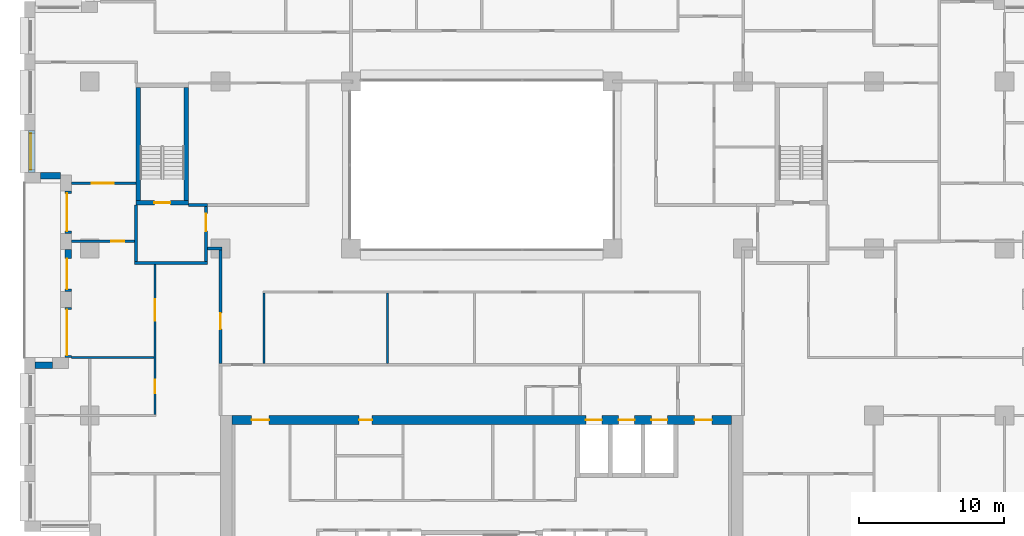
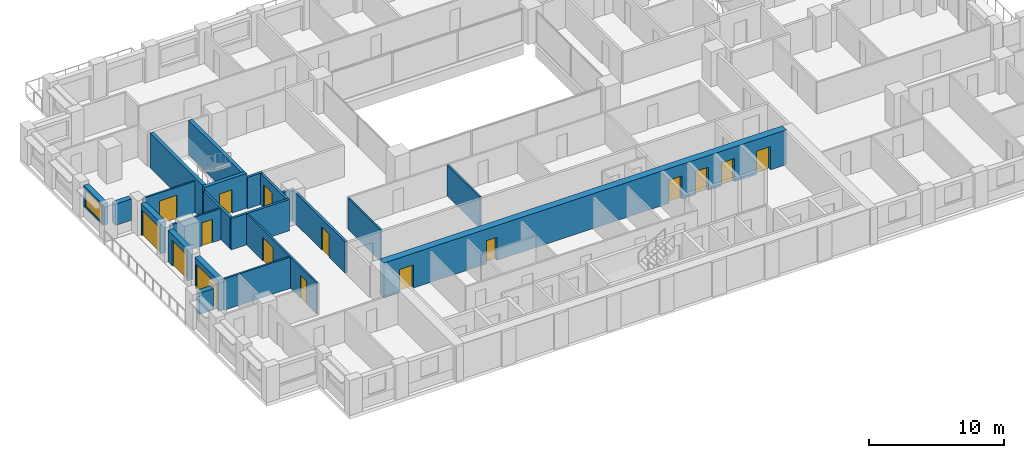
# One storey, part 9 of 16: 22 walls, 16 doors, 1 window, 17 openings.
"""IFC4 building model written with IfcOpenShell, lengths in metres."""

from ifc_helpers import new_model, si_unit, direction, frame, frame_2d, origin, place, context, subcontext, project, spatial, rectangle, extrude, material, layer, layer_set, type_object, element, fill, save


model = new_model("IFC4")

# Units and contexts
model_context = context("Model", 3, precision=1e-05, world=origin(), true_north=direction((0.0, 1.0)))
body_context = subcontext(model_context, "Body", "Model", "MODEL_VIEW")
ifc_project = project(units=[si_unit("LENGTHUNIT", "METRE"), si_unit("AREAUNIT", "SQUARE_METRE"), si_unit("VOLUMEUNIT", "CUBIC_METRE"), si_unit("PLANEANGLEUNIT", "RADIAN"), si_unit("MASSUNIT", "GRAM", prefix="KILO")], contexts=[model_context])

# Site, building, storey
site_placement = place(None, origin())
site = spatial("IfcSite", under=ifc_project, at=site_placement, CompositionType="ELEMENT")
building_placement = place(site_placement, origin())
building = spatial("IfcBuilding", under=site, at=building_placement, Name="Brigalow Station Residences", CompositionType="ELEMENT")
storey_placement = place(building_placement, frame((0.0, 0.0, 115.050048828125)))
storey = spatial("IfcBuildingStorey", under=building, at=storey_placement, Name="L33", CompositionType="ELEMENT", Elevation=115.050048828125)

# Wall, opening, window
ifc_material_1 = material(Name="Clay brick masonry", Category="masonry")
ifc_layer_1 = layer(ifc_material_1, 0.449951171875)
ifc_layer_set_1 = layer_set([ifc_layer_1], Name="BRICK INFILL WALL 450")
wall_type_1 = type_object("IfcWallType", Name="BRICK INFILL WALL 450", PredefinedType="SOLIDWALL", material=ifc_layer_set_1)
wall_1_placement = place(storey_placement, frame((5.02490234375, 32.116943359375, 0.89990234375), z_axis=(0.0, 0.0, 1.0), x_axis=(0.0, -1.0, 0.0)))
wall_1 = element("IfcWall", 1, at=wall_1_placement, inside=storey, type_object=wall_type_1, Name="L33/ewall/W-L33-41", PredefinedType="SOLIDWALL", context=body_context, shape_type="SweptSolid", body=[
    extrude(rectangle(XDim=2.866943359375, YDim=0.449951171875, at=frame_2d((1.43359375, 0.0))), origin(), (0.0, 0.0, 1.0), 1.929931640625),
])
opening_1_placement = place(wall_1_placement, frame((0.18359375, 0.0, 0.14990234375)))
opening_1 = element("IfcOpeningElement", 2, at=opening_1_placement, cuts=wall_1, Name="Opening WT-5", PredefinedType="OPENING", context=body_context, shape_type="SweptSolid", body=[
    extrude(rectangle(XDim=2.5, YDim=1.5, at=frame_2d((1.25, 0.75))), frame((0.0, 0.23486328125, 0.0), z_axis=(0.0, -1.0, 0.0), x_axis=(1.0, 0.0, 0.0)), (0.0, 0.0, 1.0), 0.469970703125),
])
ifc_material_2 = material(Name="Anodised aluminium frame with double glazing", Category="aluminium")
window_type = type_object("IfcWindowType", Name="WINDOW 2500x1500", PartitioningType="SINGLE_PANEL", PredefinedType="WINDOW", material=ifc_material_2)
window_placement = place(opening_1_placement, origin())
window = element("IfcWindow", 3, at=window_placement, inside=storey, type_object=window_type, Name="L33/window/W-L33-41", OverallHeight=1.5, OverallWidth=2.5, PartitioningType="SINGLE_PANEL", PredefinedType="WINDOW", context=body_context, shape_type="SweptSolid", body=[
    extrude(rectangle(XDim=2.5, YDim=1.5, at=frame_2d((1.25, 0.75))), frame((0.0, -0.06494140625, 0.0), z_axis=(0.0, -1.0, 0.0), x_axis=(1.0, 0.0, 0.0)), (0.0, 0.0, 1.0), 0.06005859375),
])
fill(opening_1, window)

# Wall
wall_2_placement = place(storey_placement, frame((5.60009765625, 29.02490234375, 0.89990234375), z_axis=(0.0, 0.0, 1.0), x_axis=(1.0, 0.0, 0.0)))
element("IfcWall", 4, at=wall_2_placement, inside=storey, type_object=wall_type_1, Name="L33/ewall/W-L33-42", PredefinedType="SOLIDWALL", context=body_context, shape_type="SweptSolid", body=[
    extrude(rectangle(XDim=1.39990234375, YDim=0.449951171875, at=frame_2d((0.699951171875, 0.0))), origin(), (0.0, 0.0, 1.0), 1.929931640625),
])

# Wall, opening, door
wall_3_placement = place(storey_placement, frame((7.52490234375, 27.949951171875, 0.0), z_axis=(0.0, 0.0, 1.0), x_axis=(0.0, -1.0, 0.0)))
wall_3 = element("IfcWall", 5, at=wall_3_placement, inside=storey, type_object=wall_type_1, Name="L33/ewall/W-L33-43", PredefinedType="SOLIDWALL", context=body_context, shape_type="SweptSolid", body=[
    extrude(rectangle(XDim=2.89990234375, YDim=0.449951171875, at=frame_2d((1.449951171875, 0.0))), origin(), (0.0, 0.0, 1.0), 2.829833984375),
])
opening_2_placement = place(wall_3_placement, frame((0.14990234375, 0.0, 0.0)))
opening_2 = element("IfcOpeningElement", 6, at=opening_2_placement, cuts=wall_3, Name="Opening D-B2600", PredefinedType="OPENING", context=body_context, shape_type="SweptSolid", body=[
    extrude(rectangle(XDim=2.60009765625, YDim=2.300048828125, at=frame_2d((1.300048828125, 1.14990234375))), frame((0.0, 0.23486328125, 0.0), z_axis=(0.0, -1.0, 0.0), x_axis=(1.0, 0.0, 0.0)), (0.0, 0.0, 1.0), 0.469970703125),
])
ifc_material_3 = material(Name="Anodised aluminium frame with double glazing", Category="aluminium")
door_type_1 = type_object("IfcDoorType", Name="BALCONY SLIDING DOOR 2600x2300", OperationType="SLIDING_TO_LEFT", PredefinedType="DOOR", material=ifc_material_3)
door_1_placement = place(opening_2_placement, origin())
door_1 = element("IfcDoor", 7, at=door_1_placement, inside=storey, type_object=door_type_1, Name="L33/balcony-door/W-L33-43", OperationType="SLIDING_TO_LEFT", OverallHeight=2.300048828125, OverallWidth=2.60009765625, PredefinedType="DOOR", context=body_context, shape_type="SweptSolid", body=[
    extrude(rectangle(XDim=2.60009765625, YDim=2.300048828125, at=frame_2d((1.300048828125, 1.14990234375))), frame((0.0, -0.06982421875, 0.0), z_axis=(0.0, -1.0, 0.0), x_axis=(1.0, 0.0, 0.0)), (0.0, 0.0, 1.0), 0.050048828125),
])
fill(opening_2, door_1)

wall_4_placement = place(storey_placement, frame((7.52490234375, 23.949951171875, 0.0), z_axis=(0.0, 0.0, 1.0), x_axis=(0.0, -1.0, 0.0)))
wall_4 = element("IfcWall", 8, at=wall_4_placement, inside=storey, type_object=wall_type_1, Name="L33/ewall/W-L33-44", PredefinedType="SOLIDWALL", context=body_context, shape_type="SweptSolid", body=[
    extrude(rectangle(XDim=2.89990234375, YDim=0.449951171875, at=frame_2d((1.449951171875, 0.0))), origin(), (0.0, 0.0, 1.0), 2.829833984375),
])
opening_3_placement = place(wall_4_placement, frame((0.635009765625, 0.0, 0.0)))
opening_3 = element("IfcOpeningElement", 9, at=opening_3_placement, cuts=wall_4, Name="Opening D-B2100", PredefinedType="OPENING", context=body_context, shape_type="SweptSolid", body=[
    extrude(rectangle(XDim=2.10009765625, YDim=2.300048828125, at=frame_2d((1.050048828125, 1.14990234375))), frame((0.0, 0.23486328125, 0.0), z_axis=(0.0, -1.0, 0.0), x_axis=(1.0, 0.0, 0.0)), (0.0, 0.0, 1.0), 0.469970703125),
])
ifc_material_4 = material(Name="Anodised aluminium frame with double glazing", Category="aluminium")
door_type_2 = type_object("IfcDoorType", Name="BALCONY SLIDING DOOR 2100x2300", OperationType="SLIDING_TO_LEFT", PredefinedType="DOOR", material=ifc_material_4)
door_2_placement = place(opening_3_placement, origin())
door_2 = element("IfcDoor", 10, at=door_2_placement, inside=storey, type_object=door_type_2, Name="L33/balcony-door/W-L33-44", OperationType="SLIDING_TO_LEFT", OverallHeight=2.300048828125, OverallWidth=2.10009765625, PredefinedType="DOOR", context=body_context, shape_type="SweptSolid", body=[
    extrude(rectangle(XDim=2.10009765625, YDim=2.300048828125, at=frame_2d((1.050048828125, 1.14990234375))), frame((0.0, -0.06982421875, 0.0), z_axis=(0.0, -1.0, 0.0), x_axis=(1.0, 0.0, 0.0)), (0.0, 0.0, 1.0), 0.050048828125),
])
fill(opening_3, door_2)

wall_5_placement = place(storey_placement, frame((7.52490234375, 19.949951171875, 0.0), z_axis=(0.0, 0.0, 1.0), x_axis=(0.0, -1.0, 0.0)))
wall_5 = element("IfcWall", 11, at=wall_5_placement, inside=storey, type_object=wall_type_1, Name="L33/ewall/W-L33-45", PredefinedType="SOLIDWALL", context=body_context, shape_type="SweptSolid", body=[
    extrude(rectangle(XDim=3.449951171875, YDim=0.449951171875, at=frame_2d((1.72509765625, 0.0))), origin(), (0.0, 0.0, 1.0), 2.829833984375),
])
opening_4_placement = place(wall_5_placement, frame((0.14990234375, 0.0, 0.0)))
opening_4 = element("IfcOpeningElement", 12, at=opening_4_placement, cuts=wall_5, Name="Opening D-B3150", PredefinedType="OPENING", context=body_context, shape_type="SweptSolid", body=[
    extrude(rectangle(XDim=3.14990234375, YDim=2.300048828125, at=frame_2d((1.574951171875, 1.14990234375))), frame((0.0, 0.23486328125, 0.0), z_axis=(0.0, -1.0, 0.0), x_axis=(1.0, 0.0, 0.0)), (0.0, 0.0, 1.0), 0.469970703125),
])
ifc_material_5 = material(Name="Anodised aluminium frame with double glazing", Category="aluminium")
door_type_3 = type_object("IfcDoorType", Name="BALCONY SLIDING DOOR 3150x2300", OperationType="SLIDING_TO_LEFT", PredefinedType="DOOR", material=ifc_material_5)
door_3_placement = place(opening_4_placement, origin())
door_3 = element("IfcDoor", 13, at=door_3_placement, inside=storey, type_object=door_type_3, Name="L33/balcony-door/W-L33-45", OperationType="SLIDING_TO_LEFT", OverallHeight=2.300048828125, OverallWidth=3.14990234375, PredefinedType="DOOR", context=body_context, shape_type="SweptSolid", body=[
    extrude(rectangle(XDim=3.14990234375, YDim=2.300048828125, at=frame_2d((1.574951171875, 1.14990234375))), frame((0.0, -0.06982421875, 0.0), z_axis=(0.0, -1.0, 0.0), x_axis=(1.0, 0.0, 0.0)), (0.0, 0.0, 1.0), 0.050048828125),
])
fill(opening_4, door_3)

# Wall
wall_6_placement = place(storey_placement, frame((6.449951171875, 15.97509765625, 0.89990234375), z_axis=(0.0, 0.0, 1.0), x_axis=(-1.0, 0.0, 0.0)))
element("IfcWall", 14, at=wall_6_placement, inside=storey, type_object=wall_type_1, Name="L33/ewall/W-L33-46", PredefinedType="SOLIDWALL", context=body_context, shape_type="SweptSolid", body=[
    extrude(rectangle(XDim=1.199951171875, YDim=0.449951171875, at=frame_2d((0.60009765625, 0.0))), origin(), (0.0, 0.0, 1.0), 1.929931640625),
])

# Wall, opening, door
ifc_material_6 = material(Name="Concrete C65", Category="concrete")
ifc_layer_2 = layer(ifc_material_6, 0.300048828125)
ifc_layer_set_2 = layer_set([ifc_layer_2], Name="CORE SHEAR WALL 300 C65")
wall_type_2 = type_object("IfcWallType", Name="CORE SHEAR WALL 300 C65", PredefinedType="SHEAR", material=ifc_layer_set_2)
wall_7_placement = place(storey_placement, frame((12.199951171875, 27.14990234375, 0.0), z_axis=(0.0, 0.0, 1.0), x_axis=(1.0, 0.0, 0.0)))
wall_7 = element("IfcWall", 15, at=wall_7_placement, inside=storey, type_object=wall_type_2, Name="CORE WALL ST-S1-S L33", PredefinedType="SHEAR", context=body_context, shape_type="SweptSolid", body=[
    extrude(rectangle(XDim=3.60009765625, YDim=0.300048828125, at=frame_2d((1.800048828125, 0.0))), origin(), (0.0, 0.0, 1.0), 3.14990234375),
])
opening_5_placement = place(wall_7_placement, frame((1.25, 0.0, 0.0)))
opening_5 = element("IfcOpeningElement", 16, at=opening_5_placement, cuts=wall_7, Name="Opening D-5015", PredefinedType="OPENING", context=body_context, shape_type="SweptSolid", body=[
    extrude(rectangle(XDim=1.10009765625, YDim=2.10009765625, at=frame_2d((0.550048828125, 1.050048828125))), frame((0.0, 0.16015625, 0.0), z_axis=(0.0, -1.0, 0.0), x_axis=(1.0, 0.0, 0.0)), (0.0, 0.0, 1.0), 0.320068359375),
])
ifc_material_7 = material(Name="Steel fire door leaf in steel frame", Category="steel")
door_type_4 = type_object("IfcDoorType", Name="STAIR DOOR 1100 x 2100 FD60S", OperationType="SINGLE_SWING_LEFT", PredefinedType="DOOR", material=ifc_material_7)
door_4_placement = place(opening_5_placement, origin())
door_4 = element("IfcDoor", 17, at=door_4_placement, inside=storey, type_object=door_type_4, Name="D-5015", OperationType="SINGLE_SWING_LEFT", OverallHeight=2.10009765625, OverallWidth=1.10009765625, PredefinedType="DOOR", context=body_context, shape_type="SweptSolid", body=[
    extrude(rectangle(XDim=1.10009765625, YDim=2.10009765625, at=frame_2d((0.550048828125, 1.050048828125))), frame((0.0, 0.02490234375, 0.0), z_axis=(0.0, -1.0, 0.0), x_axis=(1.0, 0.0, 0.0)), (0.0, 0.0, 1.0), 0.050048828125),
])
fill(opening_5, door_4)

# Walls
for number, where, z_axis, x_axis, name in (
    (18, (12.35009765625, 27.300048828125, 0.0), (0.0, 0.0, 1.0), (0.0, 1.0, 0.0), "CORE WALL ST-S1-W L33"),
    (19, (15.64990234375, 27.300048828125, 0.0), (0.0, 0.0, 1.0), (0.0, 1.0, 0.0), "CORE WALL ST-S1-E L33"),
):
    element("IfcWall", number, at=place(storey_placement, frame(where, z_axis=z_axis, x_axis=x_axis)), inside=storey, type_object=wall_type_2, Name=name, PredefinedType="SHEAR", context=body_context, shape_type="SweptSolid", body=[
        extrude(rectangle(XDim=7.800048828125, YDim=0.300048828125, at=frame_2d((3.89990234375, 0.0))), origin(), (0.0, 0.0, 1.0), 3.14990234375),
    ])

# Wall, openings, doors
ifc_material_8 = material(Name="Concrete C65", Category="concrete")
ifc_layer_3 = layer(ifc_material_8, 0.60009765625)
ifc_layer_set_3 = layer_set([ifc_layer_3], Name="CORE SHEAR WALL 600 C65")
wall_type_3 = type_object("IfcWallType", Name="CORE SHEAR WALL 600 C65", PredefinedType="SHEAR", material=ifc_layer_set_3)
wall_8_placement = place(storey_placement, frame((18.800048828125, 12.199951171875, 0.0), z_axis=(0.0, 0.0, 1.0), x_axis=(1.0, 0.0, 0.0)))
wall_8 = element("IfcWall", 20, at=wall_8_placement, inside=storey, type_object=wall_type_3, Name="CORE WALL OUT-N L33", PredefinedType="SHEAR", context=body_context, shape_type="SweptSolid", body=[
    extrude(rectangle(XDim=34.39990234375, YDim=0.60009765625, at=frame_2d((17.199951171875, 0.0))), origin(), (0.0, 0.0, 1.0), 3.14990234375),
])
opening_6_placement = place(wall_8_placement, frame((24.375, 0.0, 0.0)))
opening_6 = element("IfcOpeningElement", 21, at=opening_6_placement, cuts=wall_8, Name="Opening LD-LF1", PredefinedType="OPENING", context=body_context, shape_type="SweptSolid", body=[
    extrude(rectangle(XDim=1.10009765625, YDim=2.10009765625, at=frame_2d((0.550048828125, 1.050048828125))), frame((0.0, 0.31005859375, 0.0), z_axis=(0.0, -1.0, 0.0), x_axis=(1.0, 0.0, 0.0)), (0.0, 0.0, 1.0), 0.6201171875),
])
opening_7_placement = place(wall_8_placement, frame((26.625, 0.0, 0.0)))
opening_7 = element("IfcOpeningElement", 22, at=opening_7_placement, cuts=wall_8, Name="Opening LD-LF2", PredefinedType="OPENING", context=body_context, shape_type="SweptSolid", body=[
    extrude(rectangle(XDim=1.10009765625, YDim=2.10009765625, at=frame_2d((0.550048828125, 1.050048828125))), frame((0.0, 0.31005859375, 0.0), z_axis=(0.0, -1.0, 0.0), x_axis=(1.0, 0.0, 0.0)), (0.0, 0.0, 1.0), 0.6201171875),
])
opening_8_placement = place(wall_8_placement, frame((28.875, 0.0, 0.0)))
opening_8 = element("IfcOpeningElement", 23, at=opening_8_placement, cuts=wall_8, Name="Opening LD-LG1", PredefinedType="OPENING", context=body_context, shape_type="SweptSolid", body=[
    extrude(rectangle(XDim=1.10009765625, YDim=2.10009765625, at=frame_2d((0.550048828125, 1.050048828125))), frame((0.0, 0.31005859375, 0.0), z_axis=(0.0, -1.0, 0.0), x_axis=(1.0, 0.0, 0.0)), (0.0, 0.0, 1.0), 0.6201171875),
])
opening_9_placement = place(wall_8_placement, frame((8.75, 0.0, 0.0)))
opening_9 = element("IfcOpeningElement", 24, at=opening_9_placement, cuts=wall_8, Name="Opening D-5121", PredefinedType="OPENING", context=body_context, shape_type="SweptSolid", body=[
    extrude(rectangle(XDim=0.89990234375, YDim=2.10009765625, at=frame_2d((0.449951171875, 1.050048828125))), frame((0.0, 0.31005859375, 0.0), z_axis=(0.0, -1.0, 0.0), x_axis=(1.0, 0.0, 0.0)), (0.0, 0.0, 1.0), 0.6201171875),
])
opening_10_placement = place(wall_8_placement, frame((1.35009765625, 0.0, 0.0)))
opening_10 = element("IfcOpeningElement", 25, at=opening_10_placement, cuts=wall_8, Name="Opening D-5011", PredefinedType="OPENING", context=body_context, shape_type="SweptSolid", body=[
    extrude(rectangle(XDim=1.199951171875, YDim=2.10009765625, at=frame_2d((0.60009765625, 1.050048828125))), frame((0.0, 0.31005859375, 0.0), z_axis=(0.0, -1.0, 0.0), x_axis=(1.0, 0.0, 0.0)), (0.0, 0.0, 1.0), 0.6201171875),
])
opening_11_placement = place(wall_8_placement, frame((31.85009765625, 0.0, 0.0)))
opening_11 = element("IfcOpeningElement", 26, at=opening_11_placement, cuts=wall_8, Name="Opening D-5012", PredefinedType="OPENING", context=body_context, shape_type="SweptSolid", body=[
    extrude(rectangle(XDim=1.199951171875, YDim=2.10009765625, at=frame_2d((0.60009765625, 1.050048828125))), frame((0.0, 0.31005859375, 0.0), z_axis=(0.0, -1.0, 0.0), x_axis=(1.0, 0.0, 0.0)), (0.0, 0.0, 1.0), 0.6201171875),
])
ifc_material_9 = material(Name="Steel fire door leaf in steel frame", Category="steel")
door_type_5 = type_object("IfcDoorType", Name="CORE CORRIDOR DOOR 1200 x 2100 FD60S", OperationType="SINGLE_SWING_LEFT", PredefinedType="DOOR", material=ifc_material_9)
door_5_placement = place(opening_10_placement, frame((1.199951171875, 0.0, 0.0), z_axis=(0.0, 0.0, 1.0), x_axis=(-1.0, 0.0, 0.0)))
door_5 = element("IfcDoor", 27, at=door_5_placement, inside=storey, type_object=door_type_5, Name="D-5011", OperationType="SINGLE_SWING_LEFT", OverallHeight=2.10009765625, OverallWidth=1.199951171875, PredefinedType="DOOR", context=body_context, shape_type="SweptSolid", body=[
    extrude(rectangle(XDim=1.199951171875, YDim=2.10009765625, at=frame_2d((0.60009765625, 1.050048828125))), frame((0.0, 0.02490234375, 0.0), z_axis=(0.0, -1.0, 0.0), x_axis=(1.0, 0.0, 0.0)), (0.0, 0.0, 1.0), 0.050048828125),
])
fill(opening_10, door_5)
door_6_placement = place(opening_11_placement, frame((1.199951171875, 0.0, 0.0), z_axis=(0.0, 0.0, 1.0), x_axis=(-1.0, 0.0, 0.0)))
door_6 = element("IfcDoor", 28, at=door_6_placement, inside=storey, type_object=door_type_5, Name="D-5012", OperationType="SINGLE_SWING_RIGHT", OverallHeight=2.10009765625, OverallWidth=1.199951171875, PredefinedType="DOOR", context=body_context, shape_type="SweptSolid", body=[
    extrude(rectangle(XDim=1.199951171875, YDim=2.10009765625, at=frame_2d((0.60009765625, 1.050048828125))), frame((0.0, 0.02490234375, 0.0), z_axis=(0.0, -1.0, 0.0), x_axis=(1.0, 0.0, 0.0)), (0.0, 0.0, 1.0), 0.050048828125),
])
fill(opening_11, door_6)
ifc_material_10 = material(Name="Stainless steel sliding door leaves", Category="steel")
door_type_6 = type_object("IfcDoorType", Name="LIFT LANDING DOOR 1100 x 2100", OperationType="DOUBLE_DOOR_SLIDING", PredefinedType="DOOR", material=ifc_material_10)
door_7_placement = place(opening_6_placement, origin())
door_7 = element("IfcDoor", 29, at=door_7_placement, inside=storey, type_object=door_type_6, Name="LANDING DOOR LF1", OperationType="DOUBLE_DOOR_SLIDING", OverallHeight=2.10009765625, OverallWidth=1.10009765625, PredefinedType="DOOR", context=body_context, shape_type="SweptSolid", body=[
    extrude(rectangle(XDim=1.10009765625, YDim=2.10009765625, at=frame_2d((0.550048828125, 1.050048828125))), frame((0.0, 0.02490234375, 0.0), z_axis=(0.0, -1.0, 0.0), x_axis=(1.0, 0.0, 0.0)), (0.0, 0.0, 1.0), 0.050048828125),
])
fill(opening_6, door_7)
door_8_placement = place(opening_7_placement, origin())
door_8 = element("IfcDoor", 30, at=door_8_placement, inside=storey, type_object=door_type_6, Name="LANDING DOOR LF2", OperationType="DOUBLE_DOOR_SLIDING", OverallHeight=2.10009765625, OverallWidth=1.10009765625, PredefinedType="DOOR", context=body_context, shape_type="SweptSolid", body=[
    extrude(rectangle(XDim=1.10009765625, YDim=2.10009765625, at=frame_2d((0.550048828125, 1.050048828125))), frame((0.0, 0.02490234375, 0.0), z_axis=(0.0, -1.0, 0.0), x_axis=(1.0, 0.0, 0.0)), (0.0, 0.0, 1.0), 0.050048828125),
])
fill(opening_7, door_8)
door_9_placement = place(opening_8_placement, origin())
door_9 = element("IfcDoor", 31, at=door_9_placement, inside=storey, type_object=door_type_6, Name="LANDING DOOR LG1", OperationType="DOUBLE_DOOR_SLIDING", OverallHeight=2.10009765625, OverallWidth=1.10009765625, PredefinedType="DOOR", context=body_context, shape_type="SweptSolid", body=[
    extrude(rectangle(XDim=1.10009765625, YDim=2.10009765625, at=frame_2d((0.550048828125, 1.050048828125))), frame((0.0, 0.02490234375, 0.0), z_axis=(0.0, -1.0, 0.0), x_axis=(1.0, 0.0, 0.0)), (0.0, 0.0, 1.0), 0.050048828125),
])
fill(opening_8, door_9)
ifc_material_11 = material(Name="Steel door leaf in steel frame", Category="steel")
door_type_7 = type_object("IfcDoorType", Name="SERVICE ROOM DOOR 900 x 2100 FD60", OperationType="SINGLE_SWING_LEFT", PredefinedType="DOOR", material=ifc_material_11)
door_10_placement = place(opening_9_placement, frame((0.89990234375, 0.0, 0.0), z_axis=(0.0, 0.0, 1.0), x_axis=(-1.0, 0.0, 0.0)))
door_10 = element("IfcDoor", 32, at=door_10_placement, inside=storey, type_object=door_type_7, Name="D-5121", OperationType="SINGLE_SWING_RIGHT", OverallHeight=2.10009765625, OverallWidth=0.89990234375, PredefinedType="DOOR", context=body_context, shape_type="SweptSolid", body=[
    extrude(rectangle(XDim=0.89990234375, YDim=2.10009765625, at=frame_2d((0.449951171875, 1.050048828125))), frame((0.0, 0.02490234375, 0.0), z_axis=(0.0, -1.0, 0.0), x_axis=(1.0, 0.0, 0.0)), (0.0, 0.0, 1.0), 0.050048828125),
])
fill(opening_9, door_10)

# Walls
ifc_material_12 = material(Name="Concrete blockwork", Category="masonry")
ifc_layer_4 = layer(ifc_material_12, 0.199951171875)
ifc_layer_set_4 = layer_set([ifc_layer_4], Name="FIRE RATED CORE PARTITION 200")
wall_type_4 = type_object("IfcWallType", Name="FIRE RATED CORE PARTITION 200", PredefinedType="PARTITIONING", material=ifc_layer_set_4)
wall_9_placement = place(storey_placement, frame((12.10009765625, 23.0, 0.0), z_axis=(0.0, 0.0, 1.0), x_axis=(1.0, 0.0, 0.0)))
element("IfcWall", 33, at=wall_9_placement, inside=storey, type_object=wall_type_4, Name="PW-5023", PredefinedType="PARTITIONING", context=body_context, shape_type="SweptSolid", body=[
    extrude(rectangle(XDim=5.0, YDim=0.199951171875, at=frame_2d((2.5, 0.0))), origin(), (0.0, 0.0, 1.0), 2.829833984375),
])
wall_10_placement = place(storey_placement, frame((15.800048828125, 27.0, 0.0), z_axis=(0.0, 0.0, 1.0), x_axis=(1.0, 0.0, 0.0)))
element("IfcWall", 34, at=wall_10_placement, inside=storey, type_object=wall_type_4, Name="PW-5025", PredefinedType="PARTITIONING", context=body_context, shape_type="SweptSolid", body=[
    extrude(rectangle(XDim=1.300048828125, YDim=0.199951171875, at=frame_2d((0.64990234375, 0.0))), origin(), (0.0, 0.0, 1.0), 2.829833984375),
])
wall_11_placement = place(storey_placement, frame((12.199951171875, 23.10009765625, 0.0), z_axis=(0.0, 0.0, 1.0), x_axis=(0.0, 1.0, 0.0)))
element("IfcWall", 35, at=wall_11_placement, inside=storey, type_object=wall_type_4, Name="PW-5034", PredefinedType="PARTITIONING", context=body_context, shape_type="SweptSolid", body=[
    extrude(rectangle(XDim=3.89990234375, YDim=0.199951171875, at=frame_2d((1.949951171875, 0.0))), origin(), (0.0, 0.0, 1.0), 2.829833984375),
])

# Wall, opening, door
wall_12_placement = place(storey_placement, frame((17.0, 23.10009765625, 0.0), z_axis=(0.0, 0.0, 1.0), x_axis=(0.0, 1.0, 0.0)))
wall_12 = element("IfcWall", 36, at=wall_12_placement, inside=storey, type_object=wall_type_4, Name="PW-5035", PredefinedType="PARTITIONING", context=body_context, shape_type="SweptSolid", body=[
    extrude(rectangle(XDim=3.7998046875, YDim=0.199951171875, at=frame_2d((1.89990234375, 0.0))), origin(), (0.0, 0.0, 1.0), 2.829833984375),
])
opening_12_placement = place(wall_12_placement, frame((2.10009765625, 0.0, 0.0)))
opening_12 = element("IfcOpeningElement", 37, at=opening_12_placement, cuts=wall_12, Name="Opening D-5016", PredefinedType="OPENING", context=body_context, shape_type="SweptSolid", body=[
    extrude(rectangle(XDim=1.199951171875, YDim=2.10009765625, at=frame_2d((0.60009765625, 1.050048828125))), frame((0.0, 0.10986328125, 0.0), z_axis=(0.0, -1.0, 0.0), x_axis=(1.0, 0.0, 0.0)), (0.0, 0.0, 1.0), 0.219970703125),
])
ifc_material_13 = material(Name="Steel fire door leaf in steel frame", Category="steel")
door_type_8 = type_object("IfcDoorType", Name="STAIR LOBBY DOOR 1200 x 2100 FD60S", OperationType="SINGLE_SWING_LEFT", PredefinedType="DOOR", material=ifc_material_13)
door_11_placement = place(opening_12_placement, origin())
door_11 = element("IfcDoor", 38, at=door_11_placement, inside=storey, type_object=door_type_8, Name="D-5016", OperationType="SINGLE_SWING_RIGHT", OverallHeight=2.10009765625, OverallWidth=1.199951171875, PredefinedType="DOOR", context=body_context, shape_type="SweptSolid", body=[
    extrude(rectangle(XDim=1.199951171875, YDim=2.10009765625, at=frame_2d((0.60009765625, 1.050048828125))), frame((0.0, 0.02490234375, 0.0), z_axis=(0.0, -1.0, 0.0), x_axis=(1.0, 0.0, 0.0)), (0.0, 0.0, 1.0), 0.050048828125),
])
fill(opening_12, door_11)

# Wall
ifc_material_14 = material(Name="Plasterboard on steel stud partition", Category="steel")
ifc_layer_5 = layer(ifc_material_14, 0.14990234375)
ifc_layer_set_5 = layer_set([ifc_layer_5], Name="FLAT PARTITION 150")
wall_type_5 = type_object("IfcWallType", Name="FLAT PARTITION 150", PredefinedType="PARTITIONING", material=ifc_layer_set_5)
wall_13_placement = place(storey_placement, frame((7.75, 16.5, 0.0), z_axis=(0.0, 0.0, 1.0), x_axis=(1.0, 0.0, 0.0)))
element("IfcWall", 39, at=wall_13_placement, inside=storey, type_object=wall_type_5, Name="PW-2D12", PredefinedType="PARTITIONING", context=body_context, shape_type="SweptSolid", body=[
    extrude(rectangle(XDim=5.675048828125, YDim=0.14990234375, at=frame_2d((2.83740234375, 0.0))), origin(), (0.0, 0.0, 1.0), 2.829833984375),
])

# Wall, opening, door
wall_14_placement = place(storey_placement, frame((7.75, 24.5, 0.0), z_axis=(0.0, 0.0, 1.0), x_axis=(1.0, 0.0, 0.0)))
wall_14 = element("IfcWall", 40, at=wall_14_placement, inside=storey, type_object=wall_type_5, Name="PW-2D16", PredefinedType="PARTITIONING", context=body_context, shape_type="SweptSolid", body=[
    extrude(rectangle(XDim=4.35009765625, YDim=0.14990234375, at=frame_2d((2.175048828125, 0.0))), origin(), (0.0, 0.0, 1.0), 2.829833984375),
])
opening_13_placement = place(wall_14_placement, frame((2.72509765625, 0.0, 0.0)))
opening_13 = element("IfcOpeningElement", 41, at=opening_13_placement, cuts=wall_14, Name="Opening D-2D10", PredefinedType="OPENING", context=body_context, shape_type="SweptSolid", body=[
    extrude(rectangle(XDim=0.89990234375, YDim=2.10009765625, at=frame_2d((0.449951171875, 1.050048828125))), frame((0.0, 0.0849609375, 0.0), z_axis=(0.0, -1.0, 0.0), x_axis=(1.0, 0.0, 0.0)), (0.0, 0.0, 1.0), 0.169921875),
])
ifc_material_15 = material(Name="Solid-core timber door leaf", Category="wood")
door_type_9 = type_object("IfcDoorType", Name="INTERNAL DOOR 900 x 2100", OperationType="SINGLE_SWING_LEFT", PredefinedType="DOOR", material=ifc_material_15)
door_12_placement = place(opening_13_placement, origin())
door_12 = element("IfcDoor", 42, at=door_12_placement, inside=storey, type_object=door_type_9, Name="D-2D10", OperationType="SINGLE_SWING_RIGHT", OverallHeight=2.10009765625, OverallWidth=0.89990234375, PredefinedType="DOOR", context=body_context, shape_type="SweptSolid", body=[
    extrude(rectangle(XDim=0.89990234375, YDim=2.10009765625, at=frame_2d((0.449951171875, 1.050048828125))), frame((0.0, 0.02490234375, 0.0), z_axis=(0.0, -1.0, 0.0), x_axis=(1.0, 0.0, 0.0)), (0.0, 0.0, 1.0), 0.050048828125),
])
fill(opening_13, door_12)

wall_15_placement = place(storey_placement, frame((7.75, 28.5, 0.0), z_axis=(0.0, 0.0, 1.0), x_axis=(1.0, 0.0, 0.0)))
wall_15 = element("IfcWall", 43, at=wall_15_placement, inside=storey, type_object=wall_type_5, Name="PW-2D19", PredefinedType="PARTITIONING", context=body_context, shape_type="SweptSolid", body=[
    extrude(rectangle(XDim=4.449951171875, YDim=0.14990234375, at=frame_2d((2.22509765625, 0.0))), origin(), (0.0, 0.0, 1.0), 2.829833984375),
])
opening_14_placement = place(wall_15_placement, frame((1.39990234375, 0.0, 0.0)))
opening_14 = element("IfcOpeningElement", 44, at=opening_14_placement, cuts=wall_15, Name="Opening D-2D11", PredefinedType="OPENING", context=body_context, shape_type="SweptSolid", body=[
    extrude(rectangle(XDim=1.5, YDim=2.10009765625, at=frame_2d((0.75, 1.050048828125))), frame((0.0, 0.0849609375, 0.0), z_axis=(0.0, -1.0, 0.0), x_axis=(1.0, 0.0, 0.0)), (0.0, 0.0, 1.0), 0.169921875),
])
ifc_material_16 = material(Name="Solid-core timber door leaf", Category="wood")
door_type_10 = type_object("IfcDoorType", Name="INTERNAL DOUBLE DOOR 1500 x 2100", OperationType="DOUBLE_DOOR_SINGLE_SWING", PredefinedType="DOOR", material=ifc_material_16)
door_13_placement = place(opening_14_placement, frame((1.5, 0.0, 0.0), z_axis=(0.0, 0.0, 1.0), x_axis=(-1.0, 0.0, 0.0)))
door_13 = element("IfcDoor", 45, at=door_13_placement, inside=storey, type_object=door_type_10, Name="D-2D11", OperationType="DOUBLE_DOOR_SINGLE_SWING", OverallHeight=2.10009765625, OverallWidth=1.5, PredefinedType="DOOR", context=body_context, shape_type="SweptSolid", body=[
    extrude(rectangle(XDim=1.5, YDim=2.10009765625, at=frame_2d((0.75, 1.050048828125))), frame((0.0, 0.02490234375, 0.0), z_axis=(0.0, -1.0, 0.0), x_axis=(1.0, 0.0, 0.0)), (0.0, 0.0, 1.0), 0.050048828125),
])
fill(opening_14, door_13)

# Wall
wall_16_placement = place(storey_placement, frame((21.0, 16.10009765625, 0.0), z_axis=(0.0, 0.0, 1.0), x_axis=(0.0, 1.0, 0.0)))
element("IfcWall", 46, at=wall_16_placement, inside=storey, type_object=wall_type_5, Name="PW-2D41", PredefinedType="PARTITIONING", context=body_context, shape_type="SweptSolid", body=[
    extrude(rectangle(XDim=4.824951171875, YDim=0.14990234375, at=frame_2d((2.41259765625, 0.0))), origin(), (0.0, 0.0, 1.0), 2.829833984375),
])

# Wall, openings, doors
wall_17_placement = place(storey_placement, frame((13.5, 12.574951171875, 0.0), z_axis=(0.0, 0.0, 1.0), x_axis=(0.0, 1.0, 0.0)))
wall_17 = element("IfcWall", 47, at=wall_17_placement, inside=storey, type_object=wall_type_5, Name="PW-2D48", PredefinedType="PARTITIONING", context=body_context, shape_type="SweptSolid", body=[
    extrude(rectangle(XDim=10.324951171875, YDim=0.14990234375, at=frame_2d((5.16259765625, 0.0))), origin(), (0.0, 0.0, 1.0), 2.829833984375),
])
opening_15_placement = place(wall_17_placement, frame((1.47509765625, 0.0, 0.0)))
opening_15 = element("IfcOpeningElement", 48, at=opening_15_placement, cuts=wall_17, Name="Opening D-2D08", PredefinedType="OPENING", context=body_context, shape_type="SweptSolid", body=[
    extrude(rectangle(XDim=0.89990234375, YDim=2.10009765625, at=frame_2d((0.449951171875, 1.050048828125))), frame((0.0, 0.0849609375, 0.0), z_axis=(0.0, -1.0, 0.0), x_axis=(1.0, 0.0, 0.0)), (0.0, 0.0, 1.0), 0.169921875),
])
opening_16_placement = place(wall_17_placement, frame((6.449951171875, 0.0, 0.0)))
opening_16 = element("IfcOpeningElement", 49, at=opening_16_placement, cuts=wall_17, Name="Opening D-2D09", PredefinedType="OPENING", context=body_context, shape_type="SweptSolid", body=[
    extrude(rectangle(XDim=1.5, YDim=2.10009765625, at=frame_2d((0.75, 1.050048828125))), frame((0.0, 0.0849609375, 0.0), z_axis=(0.0, -1.0, 0.0), x_axis=(1.0, 0.0, 0.0)), (0.0, 0.0, 1.0), 0.169921875),
])
door_14_placement = place(opening_15_placement, origin())
door_14 = element("IfcDoor", 50, at=door_14_placement, inside=storey, type_object=door_type_9, Name="D-2D08", OperationType="SINGLE_SWING_RIGHT", OverallHeight=2.10009765625, OverallWidth=0.89990234375, PredefinedType="DOOR", context=body_context, shape_type="SweptSolid", body=[
    extrude(rectangle(XDim=0.89990234375, YDim=2.10009765625, at=frame_2d((0.449951171875, 1.050048828125))), frame((0.0, 0.02490234375, 0.0), z_axis=(0.0, -1.0, 0.0), x_axis=(1.0, 0.0, 0.0)), (0.0, 0.0, 1.0), 0.050048828125),
])
fill(opening_15, door_14)
door_15_placement = place(opening_16_placement, origin())
door_15 = element("IfcDoor", 51, at=door_15_placement, inside=storey, type_object=door_type_10, Name="D-2D09", OperationType="DOUBLE_DOOR_SINGLE_SWING", OverallHeight=2.10009765625, OverallWidth=1.5, PredefinedType="DOOR", context=body_context, shape_type="SweptSolid", body=[
    extrude(rectangle(XDim=1.5, YDim=2.10009765625, at=frame_2d((0.75, 1.050048828125))), frame((0.0, 0.02490234375, 0.0), z_axis=(0.0, -1.0, 0.0), x_axis=(1.0, 0.0, 0.0)), (0.0, 0.0, 1.0), 0.050048828125),
])
fill(opening_16, door_15)

# Walls
wall_18_placement = place(storey_placement, frame((29.5, 16.10009765625, 0.0), z_axis=(0.0, 0.0, 1.0), x_axis=(0.0, 1.0, 0.0)))
element("IfcWall", 52, at=wall_18_placement, inside=storey, type_object=wall_type_5, Name="PW-2D68", PredefinedType="PARTITIONING", context=body_context, shape_type="SweptSolid", body=[
    extrude(rectangle(XDim=4.824951171875, YDim=0.14990234375, at=frame_2d((2.41259765625, 0.0))), origin(), (0.0, 0.0, 1.0), 2.829833984375),
])
ifc_material_17 = material(Name="Plasterboard on steel stud partition", Category="steel")
ifc_layer_6 = layer(ifc_material_17, 0.199951171875)
ifc_layer_set_6 = layer_set([ifc_layer_6], Name="PARTY AND CORRIDOR WALL 200")
wall_type_6 = type_object("IfcWallType", Name="PARTY AND CORRIDOR WALL 200", PredefinedType="PARTITIONING", material=ifc_layer_set_6)
wall_19_placement = place(storey_placement, frame((17.10009765625, 24.0, 0.0), z_axis=(0.0, 0.0, 1.0), x_axis=(1.0, 0.0, 0.0)))
element("IfcWall", 53, at=wall_19_placement, inside=storey, type_object=wall_type_6, Name="PW-2D02", PredefinedType="PARTITIONING", context=body_context, shape_type="SweptSolid", body=[
    extrude(rectangle(XDim=1.0, YDim=0.199951171875, at=frame_2d((0.5, 0.0))), origin(), (0.0, 0.0, 1.0), 2.829833984375),
])

# Wall, opening, door
wall_20_placement = place(storey_placement, frame((18.0, 16.10009765625, 0.0), z_axis=(0.0, 0.0, 1.0), x_axis=(0.0, 1.0, 0.0)))
wall_20 = element("IfcWall", 54, at=wall_20_placement, inside=storey, type_object=wall_type_6, Name="PW-2D38", PredefinedType="PARTITIONING", context=body_context, shape_type="SweptSolid", body=[
    extrude(rectangle(XDim=7.7998046875, YDim=0.199951171875, at=frame_2d((3.89990234375, 0.0))), origin(), (0.0, 0.0, 1.0), 2.829833984375),
])
opening_17_placement = place(wall_20_placement, frame((2.35009765625, 0.0, 0.0)))
opening_17 = element("IfcOpeningElement", 55, at=opening_17_placement, cuts=wall_20, Name="Opening D-2D03", PredefinedType="OPENING", context=body_context, shape_type="SweptSolid", body=[
    extrude(rectangle(XDim=1.10009765625, YDim=2.10009765625, at=frame_2d((0.550048828125, 1.050048828125))), frame((0.0, 0.10986328125, 0.0), z_axis=(0.0, -1.0, 0.0), x_axis=(1.0, 0.0, 0.0)), (0.0, 0.0, 1.0), 0.219970703125),
])
ifc_material_18 = material(Name="Solid-core timber door leaf", Category="wood")
door_type_11 = type_object("IfcDoorType", Name="FLAT ENTRANCE DOOR 1100 x 2100 FRL -/60/30", OperationType="SINGLE_SWING_LEFT", PredefinedType="DOOR", material=ifc_material_18)
door_16_placement = place(opening_17_placement, origin())
door_16 = element("IfcDoor", 56, at=door_16_placement, inside=storey, type_object=door_type_11, Name="D-2D03", OperationType="SINGLE_SWING_RIGHT", OverallHeight=2.10009765625, OverallWidth=1.10009765625, PredefinedType="DOOR", context=body_context, shape_type="SweptSolid", body=[
    extrude(rectangle(XDim=1.10009765625, YDim=2.10009765625, at=frame_2d((0.550048828125, 1.050048828125))), frame((0.0, 0.02490234375, 0.0), z_axis=(0.0, -1.0, 0.0), x_axis=(1.0, 0.0, 0.0)), (0.0, 0.0, 1.0), 0.050048828125),
])
fill(opening_17, door_16)

save(model, "model.ifc")
